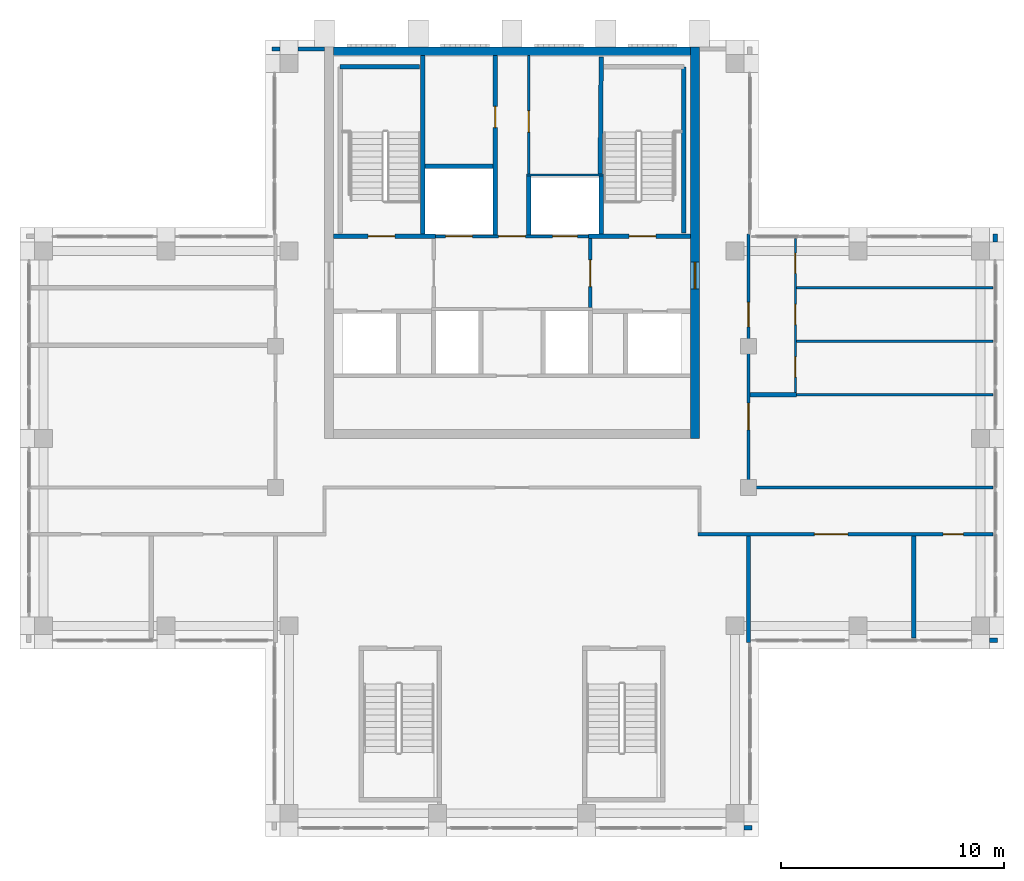
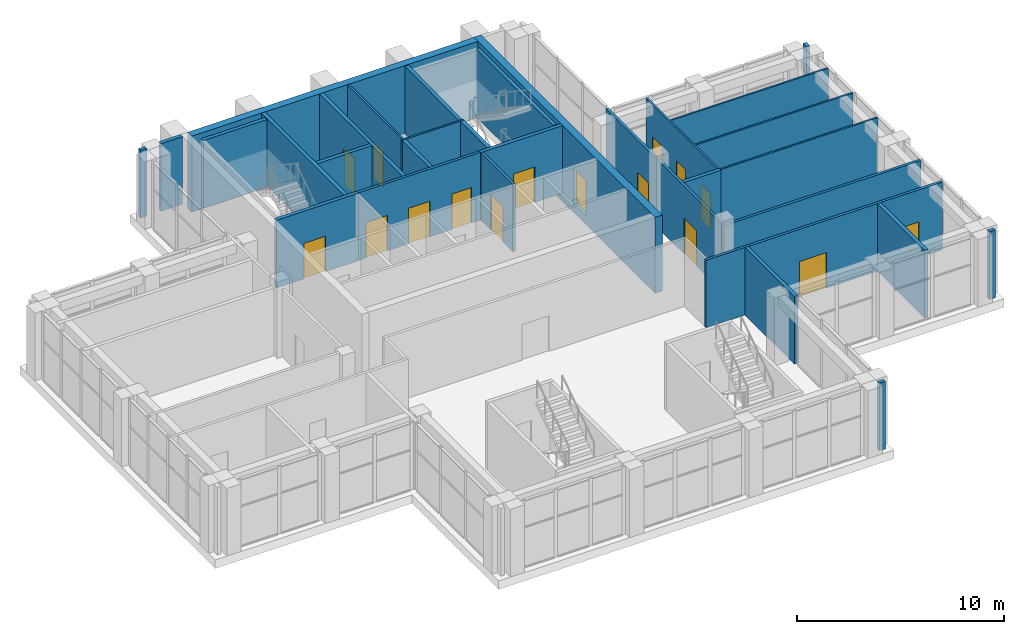
# One storey, part 10 of 14: 31 walls, 16 doors, 16 openings.
"""IFC4 building model written with IfcOpenShell, lengths in metres."""

from ifc_helpers import new_model, si_unit, direction, frame, frame_2d, origin, place, context, subcontext, project, spatial, rectangle, extrude, material, layer, layer_set, type_object, element, fill, save


model = new_model("IFC4")

# Units and contexts
model_context = context("Model", 3, precision=1e-05, world=origin(), true_north=direction((0.0, 1.0)))
body_context = subcontext(model_context, "Body", "Model", "MODEL_VIEW")
ifc_project = project(units=[si_unit("LENGTHUNIT", "METRE"), si_unit("AREAUNIT", "SQUARE_METRE"), si_unit("VOLUMEUNIT", "CUBIC_METRE"), si_unit("PLANEANGLEUNIT", "RADIAN"), si_unit("MASSUNIT", "GRAM", prefix="KILO")], contexts=[model_context])

# Site, building, storey
site_placement = place(None, origin())
site = spatial("IfcSite", under=ifc_project, at=site_placement, CompositionType="ELEMENT")
building_placement = place(site_placement, origin())
building = spatial("IfcBuilding", under=site, at=building_placement, Name="Vermilion Ogive Tower", CompositionType="ELEMENT")
storey_placement = place(building_placement, frame((0.0, 0.0, 273.85009765625)))
storey = spatial("IfcBuildingStorey", under=building, at=storey_placement, Name="L72", CompositionType="ELEMENT", Elevation=273.85009765625)

# Wall, opening, door
ifc_material_1 = material(Name="Concrete B60", Category="concrete")
ifc_layer_1 = layer(ifc_material_1, 0.39990234375)
ifc_layer_set_1 = layer_set([ifc_layer_1], Name="Core wall 400 B60")
wall_type_1 = type_object("IfcWallType", Name="Core wall 400 B60", PredefinedType="SHEAR", material=ifc_layer_set_1)
wall_1_placement = place(storey_placement, frame((8.199951171875, 4.199951171875, -0.5), z_axis=(0.0, 0.0, 1.0), x_axis=(0.0, 1.0, 0.0)))
wall_1 = element("IfcWall", 1, at=wall_1_placement, inside=storey, type_object=wall_type_1, Name="L72-CORE-E", PredefinedType="SHEAR", context=body_context, shape_type="SweptSolid", body=[
    extrude(rectangle(XDim=17.550048828125, YDim=0.39990234375, at=frame_2d((8.77490234375, 0.0))), origin(), (0.0, 0.0, 1.0), 4.5),
])
opening_1_placement = place(wall_1_placement, frame((6.699951171875, 0.0, 0.5)))
opening_1 = element("IfcOpeningElement", 2, at=opening_1_placement, cuts=wall_1, Name="Opening DAY002", PredefinedType="OPENING", context=body_context, shape_type="SweptSolid", body=[
    extrude(rectangle(XDim=1.199951171875, YDim=2.10009765625, at=frame_2d((0.60009765625, 1.050048828125))), frame((0.0, 0.2099609375, 0.0), z_axis=(0.0, -1.0, 0.0), x_axis=(1.0, 0.0, 0.0)), (0.0, 0.0, 1.0), 0.419921875),
])
ifc_material_2 = material(Name="Timber door leaf", Category="wood")
door_type_1 = type_object("IfcDoorType", Name="Link door 1200 x 2100 FD60S", OperationType="SINGLE_SWING_LEFT", PredefinedType="DOOR", material=ifc_material_2)
door_1_placement = place(opening_1_placement, origin())
door_1 = element("IfcDoor", 3, at=door_1_placement, inside=storey, type_object=door_type_1, Name="L72-CK-XD2", OperationType="SINGLE_SWING_LEFT", OverallHeight=2.10009765625, OverallWidth=1.199951171875, PredefinedType="DOOR", context=body_context, shape_type="SweptSolid", body=[
    extrude(rectangle(XDim=1.199951171875, YDim=2.10009765625, at=frame_2d((0.60009765625, 1.050048828125))), frame((0.0, 0.02490234375, 0.0), z_axis=(0.0, -1.0, 0.0), x_axis=(1.0, 0.0, 0.0)), (0.0, 0.0, 1.0), 0.050048828125),
])
fill(opening_1, door_1)

# Walls
wall_2_placement = place(storey_placement, frame((-8.0, 21.550048828125, -0.5), z_axis=(0.0, 0.0, 1.0), x_axis=(1.0, 0.0, 0.0)))
element("IfcWall", 4, at=wall_2_placement, inside=storey, type_object=wall_type_1, Name="L72-CORE-N", PredefinedType="SHEAR", context=body_context, shape_type="SweptSolid", body=[
    extrude(rectangle(XDim=16.0, YDim=0.39990234375, at=frame_2d((8.0, 0.0))), origin(), (0.0, 0.0, 1.0), 4.5),
])
ifc_material_3 = material(Name="Gypsum board partition on steel studs", Category="steel")
ifc_layer_2 = layer(ifc_material_3, 0.10009765625)
ifc_layer_set_2 = layer_set([ifc_layer_2], Name="Partition 100 bath")
wall_type_2 = type_object("IfcWallType", Name="Partition 100 bath", PredefinedType="PARTITIONING", material=ifc_layer_set_2)
wall_3_placement = place(storey_placement, frame((12.64990234375, 6.14990234375, 0.0), z_axis=(0.0, 0.0, 1.0), x_axis=(1.0, 0.0, 0.0)))
element("IfcWall", 5, at=wall_3_placement, inside=storey, type_object=wall_type_2, Name="L72-FS-W-W007", PredefinedType="PARTITIONING", context=body_context, shape_type="SweptSolid", body=[
    extrude(rectangle(XDim=8.900146484375, YDim=0.10009765625, at=frame_2d((4.4501953125, 0.0))), origin(), (0.0, 0.0, 1.0), 4.0),
])
for number, where, z_axis, x_axis, name in (
    (6, (12.75, 8.550048828125, 0.0), (0.0, 0.0, 1.0), (1.0, 0.0, 0.0), "L72-FS-W-W009"),
    (7, (12.75, 10.949951171875, 0.0), (0.0, 0.0, 1.0), (1.0, 0.0, 0.0), "L72-FS-W-W011"),
):
    element("IfcWall", number, at=place(storey_placement, frame(where, z_axis=z_axis, x_axis=x_axis)), inside=storey, type_object=wall_type_2, Name=name, PredefinedType="PARTITIONING", context=body_context, shape_type="SweptSolid", body=[
        extrude(rectangle(XDim=8.800048828125, YDim=0.10009765625, at=frame_2d((4.39990234375, 0.0))), origin(), (0.0, 0.0, 1.0), 4.0),
    ])

# Wall, openings, doors
wall_4_placement = place(storey_placement, frame((12.699951171875, 6.25, 0.0), z_axis=(0.0, 0.0, 1.0), x_axis=(0.0, 1.0, 0.0)))
wall_4 = element("IfcWall", 8, at=wall_4_placement, inside=storey, type_object=wall_type_2, Name="L72-FS-W-W019", PredefinedType="PARTITIONING", context=body_context, shape_type="SweptSolid", body=[
    extrude(rectangle(XDim=6.89990234375, YDim=0.10009765625, at=frame_2d((3.449951171875, 0.0))), origin(), (0.0, 0.0, 1.0), 4.0),
])
opening_2_placement = place(wall_4_placement, frame((0.699951171875, 0.0, 0.0)))
opening_2 = element("IfcOpeningElement", 9, at=opening_2_placement, cuts=wall_4, Name="Opening L72S007", PredefinedType="OPENING", context=body_context, shape_type="SweptSolid", body=[
    extrude(rectangle(XDim=0.89990234375, YDim=2.10009765625, at=frame_2d((0.449951171875, 1.050048828125))), frame((0.0, 0.06005859375, 0.0), z_axis=(0.0, -1.0, 0.0), x_axis=(1.0, 0.0, 0.0)), (0.0, 0.0, 1.0), 0.1201171875),
])
opening_3_placement = place(wall_4_placement, frame((3.050048828125, 0.0, 0.0)))
opening_3 = element("IfcOpeningElement", 10, at=opening_3_placement, cuts=wall_4, Name="Opening L72S008", PredefinedType="OPENING", context=body_context, shape_type="SweptSolid", body=[
    extrude(rectangle(XDim=0.89990234375, YDim=2.10009765625, at=frame_2d((0.449951171875, 1.050048828125))), frame((0.0, 0.06005859375, 0.0), z_axis=(0.0, -1.0, 0.0), x_axis=(1.0, 0.0, 0.0)), (0.0, 0.0, 1.0), 0.1201171875),
])
opening_4_placement = place(wall_4_placement, frame((5.349853515625, 0.0, 0.0)))
opening_4 = element("IfcOpeningElement", 11, at=opening_4_placement, cuts=wall_4, Name="Opening L72S009", PredefinedType="OPENING", context=body_context, shape_type="SweptSolid", body=[
    extrude(rectangle(XDim=0.89990234375, YDim=2.10009765625, at=frame_2d((0.449951171875, 1.050048828125))), frame((0.0, 0.06005859375, 0.0), z_axis=(0.0, -1.0, 0.0), x_axis=(1.0, 0.0, 0.0)), (0.0, 0.0, 1.0), 0.1201171875),
])
ifc_material_4 = material(Name="Timber door leaf", Category="wood")
door_type_2 = type_object("IfcDoorType", Name="Room door 900 x 2100 FD30", OperationType="SINGLE_SWING_LEFT", PredefinedType="DOOR", material=ifc_material_4)
door_2_placement = place(opening_2_placement, origin())
door_2 = element("IfcDoor", 12, at=door_2_placement, inside=storey, type_object=door_type_2, Name="L72-FS-D-D007", OperationType="SINGLE_SWING_RIGHT", OverallHeight=2.10009765625, OverallWidth=0.89990234375, PredefinedType="DOOR", context=body_context, shape_type="SweptSolid", body=[
    extrude(rectangle(XDim=0.89990234375, YDim=2.10009765625, at=frame_2d((0.449951171875, 1.050048828125))), frame((0.0, 0.02490234375, 0.0), z_axis=(0.0, -1.0, 0.0), x_axis=(1.0, 0.0, 0.0)), (0.0, 0.0, 1.0), 0.050048828125),
])
fill(opening_2, door_2)
door_3_placement = place(opening_3_placement, origin())
door_3 = element("IfcDoor", 13, at=door_3_placement, inside=storey, type_object=door_type_2, Name="L72-FS-D-D008", OperationType="SINGLE_SWING_RIGHT", OverallHeight=2.10009765625, OverallWidth=0.89990234375, PredefinedType="DOOR", context=body_context, shape_type="SweptSolid", body=[
    extrude(rectangle(XDim=0.89990234375, YDim=2.10009765625, at=frame_2d((0.449951171875, 1.050048828125))), frame((0.0, 0.02490234375, 0.0), z_axis=(0.0, -1.0, 0.0), x_axis=(1.0, 0.0, 0.0)), (0.0, 0.0, 1.0), 0.050048828125),
])
fill(opening_3, door_3)
door_4_placement = place(opening_4_placement, origin())
door_4 = element("IfcDoor", 14, at=door_4_placement, inside=storey, type_object=door_type_2, Name="L72-FS-D-D009", OperationType="SINGLE_SWING_LEFT", OverallHeight=2.10009765625, OverallWidth=0.89990234375, PredefinedType="DOOR", context=body_context, shape_type="SweptSolid", body=[
    extrude(rectangle(XDim=0.89990234375, YDim=2.10009765625, at=frame_2d((0.449951171875, 1.050048828125))), frame((0.0, 0.02490234375, 0.0), z_axis=(0.0, -1.0, 0.0), x_axis=(1.0, 0.0, 0.0)), (0.0, 0.0, 1.0), 0.050048828125),
])
fill(opening_4, door_4)

# Wall
wall_5_placement = place(storey_placement, frame((0.64990234375, 16.0, 0.0), z_axis=(0.0, 0.0, 1.0), x_axis=(1.0, 0.0, 0.0)))
element("IfcWall", 15, at=wall_5_placement, inside=storey, type_object=wall_type_2, Name="L72-CK-W-W008", PredefinedType="PARTITIONING", context=body_context, shape_type="SweptSolid", body=[
    extrude(rectangle(XDim=3.4501953125, YDim=0.10009765625, at=frame_2d((1.72509765625, 0.0))), origin(), (0.0, 0.0, 1.0), 4.0),
])

# Wall, opening, door
wall_6_placement = place(storey_placement, frame((0.75, 16.050048828125, 0.0), z_axis=(0.0, 0.0, 1.0), x_axis=(0.0, 1.0, 0.0)))
wall_6 = element("IfcWall", 16, at=wall_6_placement, inside=storey, type_object=wall_type_2, Name="L72-CK-W-W017", PredefinedType="PARTITIONING", context=body_context, shape_type="SweptSolid", body=[
    extrude(rectangle(XDim=5.299072265625, YDim=0.10009765625, at=frame_2d((2.6494140625, 0.0))), origin(), (0.0, 0.0, 1.0), 4.0),
])
opening_5_placement = place(wall_6_placement, frame((1.875, 0.0, 0.0)))
opening_5 = element("IfcOpeningElement", 17, at=opening_5_placement, cuts=wall_6, Name="Opening DAE022", PredefinedType="OPENING", context=body_context, shape_type="SweptSolid", body=[
    extrude(rectangle(XDim=0.949951171875, YDim=2.10009765625, at=frame_2d((0.47509765625, 1.050048828125))), frame((0.0, 0.06005859375, 0.0), z_axis=(0.0, -1.0, 0.0), x_axis=(1.0, 0.0, 0.0)), (0.0, 0.0, 1.0), 0.1201171875),
])
ifc_material_5 = material(Name="Timber door leaf", Category="wood")
door_type_3 = type_object("IfcDoorType", Name="Service door 950 x 2100 FD60", OperationType="SINGLE_SWING_LEFT", PredefinedType="DOOR", material=ifc_material_5)
door_5_placement = place(opening_5_placement, origin())
door_5 = element("IfcDoor", 18, at=door_5_placement, inside=storey, type_object=door_type_3, Name="L72-CK-D-D011", OperationType="SINGLE_SWING_LEFT", OverallHeight=2.10009765625, OverallWidth=0.949951171875, PredefinedType="DOOR", context=body_context, shape_type="SweptSolid", body=[
    extrude(rectangle(XDim=0.949951171875, YDim=2.10009765625, at=frame_2d((0.47509765625, 1.050048828125))), frame((0.0, 0.02490234375, 0.0), z_axis=(0.0, -1.0, 0.0), x_axis=(1.0, 0.0, 0.0)), (0.0, 0.0, 1.0), 0.050048828125),
])
fill(opening_5, door_5)

# Wall, openings, doors
ifc_material_6 = material(Name="Gypsum board partition on steel studs", Category="steel")
ifc_layer_3 = layer(ifc_material_6, 0.14990234375)
ifc_layer_set_3 = layer_set([ifc_layer_3], Name="Partition 150 corridor")
wall_type_3 = type_object("IfcWallType", Name="Partition 150 corridor", PredefinedType="PARTITIONING", material=ifc_layer_set_3)
wall_7_placement = place(storey_placement, frame((8.324951171875, -0.10009765625, 0.0), z_axis=(0.0, 0.0, 1.0), x_axis=(1.0, 0.0, 0.0)))
wall_7 = element("IfcWall", 19, at=wall_7_placement, inside=storey, type_object=wall_type_3, Name="L72-FS-W-W002", PredefinedType="PARTITIONING", context=body_context, shape_type="SweptSolid", body=[
    extrude(rectangle(XDim=13.22509765625, YDim=0.14990234375, at=frame_2d((6.612548828125, 0.0))), origin(), (0.0, 0.0, 1.0), 4.0),
])
opening_6_placement = place(wall_7_placement, frame((5.22509765625, 0.0, 0.0)))
opening_6 = element("IfcOpeningElement", 20, at=opening_6_placement, cuts=wall_7, Name="Opening L72S004", PredefinedType="OPENING", context=body_context, shape_type="SweptSolid", body=[
    extrude(rectangle(XDim=1.5, YDim=2.10009765625, at=frame_2d((0.75, 1.050048828125))), frame((0.0, 0.0849609375, 0.0), z_axis=(0.0, -1.0, 0.0), x_axis=(1.0, 0.0, 0.0)), (0.0, 0.0, 1.0), 0.169921875),
])
opening_7_placement = place(wall_7_placement, frame((11.0, 0.0, 0.0)))
opening_7 = element("IfcOpeningElement", 21, at=opening_7_placement, cuts=wall_7, Name="Opening L72S005", PredefinedType="OPENING", context=body_context, shape_type="SweptSolid", body=[
    extrude(rectangle(XDim=0.89990234375, YDim=2.10009765625, at=frame_2d((0.449951171875, 1.050048828125))), frame((0.0, 0.0849609375, 0.0), z_axis=(0.0, -1.0, 0.0), x_axis=(1.0, 0.0, 0.0)), (0.0, 0.0, 1.0), 0.169921875),
])
ifc_material_7 = material(Name="Timber door leaf", Category="wood")
door_type_4 = type_object("IfcDoorType", Name="Assembly door 1500 x 2100 FD30", OperationType="DOUBLE_DOOR_SINGLE_SWING", PredefinedType="DOOR", material=ifc_material_7)
door_6_placement = place(opening_6_placement, origin())
door_6 = element("IfcDoor", 22, at=door_6_placement, inside=storey, type_object=door_type_4, Name="L72-FS-D-D004", OperationType="DOUBLE_DOOR_SINGLE_SWING", OverallHeight=2.10009765625, OverallWidth=1.5, PredefinedType="DOOR", context=body_context, shape_type="SweptSolid", body=[
    extrude(rectangle(XDim=1.5, YDim=2.10009765625, at=frame_2d((0.75, 1.050048828125))), frame((0.0, 0.02490234375, 0.0), z_axis=(0.0, -1.0, 0.0), x_axis=(1.0, 0.0, 0.0)), (0.0, 0.0, 1.0), 0.050048828125),
])
fill(opening_6, door_6)
door_7_placement = place(opening_7_placement, origin())
door_7 = element("IfcDoor", 23, at=door_7_placement, inside=storey, type_object=door_type_2, Name="L72-FS-D-D005", OperationType="SINGLE_SWING_LEFT", OverallHeight=2.10009765625, OverallWidth=0.89990234375, PredefinedType="DOOR", context=body_context, shape_type="SweptSolid", body=[
    extrude(rectangle(XDim=0.89990234375, YDim=2.10009765625, at=frame_2d((0.449951171875, 1.050048828125))), frame((0.0, 0.02490234375, 0.0), z_axis=(0.0, -1.0, 0.0), x_axis=(1.0, 0.0, 0.0)), (0.0, 0.0, 1.0), 0.050048828125),
])
fill(opening_7, door_7)

# Wall
wall_8_placement = place(storey_placement, frame((10.52490234375, 2.0, 0.0), z_axis=(0.0, 0.0, 1.0), x_axis=(1.0, 0.0, 0.0)))
element("IfcWall", 24, at=wall_8_placement, inside=storey, type_object=wall_type_3, Name="L72-FS-W-W005", PredefinedType="PARTITIONING", context=body_context, shape_type="SweptSolid", body=[
    extrude(rectangle(XDim=11.025146484375, YDim=0.14990234375, at=frame_2d((5.5126953125, 0.0))), origin(), (0.0, 0.0, 1.0), 4.0),
])

# Wall, openings, doors
wall_9_placement = place(storey_placement, frame((10.60009765625, 2.074951171875, 0.0), z_axis=(0.0, 0.0, 1.0), x_axis=(0.0, 1.0, 0.0)))
wall_9 = element("IfcWall", 25, at=wall_9_placement, inside=storey, type_object=wall_type_3, Name="L72-FS-W-W018", PredefinedType="PARTITIONING", context=body_context, shape_type="SweptSolid", body=[
    extrude(rectangle(XDim=11.275146484375, YDim=0.14990234375, at=frame_2d((5.6376953125, 0.0))), origin(), (0.0, 0.0, 1.0), 4.0),
])
opening_8_placement = place(wall_9_placement, frame((7.125, 0.0, 0.0)))
opening_8 = element("IfcOpeningElement", 26, at=opening_8_placement, cuts=wall_9, Name="Opening L72S006", PredefinedType="OPENING", context=body_context, shape_type="SweptSolid", body=[
    extrude(rectangle(XDim=1.10009765625, YDim=2.10009765625, at=frame_2d((0.550048828125, 1.050048828125))), frame((0.0, 0.0849609375, 0.0), z_axis=(0.0, -1.0, 0.0), x_axis=(1.0, 0.0, 0.0)), (0.0, 0.0, 1.0), 0.169921875),
])
opening_9_placement = place(wall_9_placement, frame((2.5, 0.0, 0.0)))
opening_9 = element("IfcOpeningElement", 27, at=opening_9_placement, cuts=wall_9, Name="Opening L72S013", PredefinedType="OPENING", context=body_context, shape_type="SweptSolid", body=[
    extrude(rectangle(XDim=1.199951171875, YDim=2.10009765625, at=frame_2d((0.60009765625, 1.050048828125))), frame((0.0, 0.0849609375, 0.0), z_axis=(0.0, -1.0, 0.0), x_axis=(1.0, 0.0, 0.0)), (0.0, 0.0, 1.0), 0.169921875),
])
ifc_material_8 = material(Name="Timber door leaf", Category="wood")
door_type_5 = type_object("IfcDoorType", Name="Room door 1200 x 2100 FD30", OperationType="SINGLE_SWING_LEFT", PredefinedType="DOOR", material=ifc_material_8)
door_8_placement = place(opening_9_placement, origin())
door_8 = element("IfcDoor", 28, at=door_8_placement, inside=storey, type_object=door_type_5, Name="L72-FS-D-D013", OperationType="SINGLE_SWING_LEFT", OverallHeight=2.10009765625, OverallWidth=1.199951171875, PredefinedType="DOOR", context=body_context, shape_type="SweptSolid", body=[
    extrude(rectangle(XDim=1.199951171875, YDim=2.10009765625, at=frame_2d((0.60009765625, 1.050048828125))), frame((0.0, 0.02490234375, 0.0), z_axis=(0.0, -1.0, 0.0), x_axis=(1.0, 0.0, 0.0)), (0.0, 0.0, 1.0), 0.050048828125),
])
fill(opening_9, door_8)
ifc_material_9 = material(Name="Timber door leaf", Category="wood")
door_type_6 = type_object("IfcDoorType", Name="Wc door 1100 x 2100 FD30", OperationType="SINGLE_SWING_LEFT", PredefinedType="DOOR", material=ifc_material_9)
door_9_placement = place(opening_8_placement, origin())
door_9 = element("IfcDoor", 29, at=door_9_placement, inside=storey, type_object=door_type_6, Name="L72-FS-D-D006", OperationType="SINGLE_SWING_RIGHT", OverallHeight=2.10009765625, OverallWidth=1.10009765625, PredefinedType="DOOR", context=body_context, shape_type="SweptSolid", body=[
    extrude(rectangle(XDim=1.10009765625, YDim=2.10009765625, at=frame_2d((0.550048828125, 1.050048828125))), frame((0.0, 0.02490234375, 0.0), z_axis=(0.0, -1.0, 0.0), x_axis=(1.0, 0.0, 0.0)), (0.0, 0.0, 1.0), 0.050048828125),
])
fill(opening_8, door_9)

wall_10_placement = place(storey_placement, frame((-3.574951171875, 13.25, 0.0), z_axis=(0.0, 0.0, 1.0), x_axis=(1.0, 0.0, 0.0)))
wall_10 = element("IfcWall", 30, at=wall_10_placement, inside=storey, type_object=wall_type_3, Name="L72-CK-W-W006", PredefinedType="PARTITIONING", context=body_context, shape_type="SweptSolid", body=[
    extrude(rectangle(XDim=7.14990234375, YDim=0.14990234375, at=frame_2d((3.574951171875, 0.0))), origin(), (0.0, 0.0, 1.0), 4.0),
])
opening_10_placement = place(wall_10_placement, frame((0.599853515625, 0.0, 0.0)))
opening_10 = element("IfcOpeningElement", 31, at=opening_10_placement, cuts=wall_10, Name="Opening DAE028", PredefinedType="OPENING", context=body_context, shape_type="SweptSolid", body=[
    extrude(rectangle(XDim=1.199951171875, YDim=2.10009765625, at=frame_2d((0.60009765625, 1.050048828125))), frame((0.0, 0.0849609375, 0.0), z_axis=(0.0, -1.0, 0.0), x_axis=(1.0, 0.0, 0.0)), (0.0, 0.0, 1.0), 0.169921875),
])
opening_11_placement = place(wall_10_placement, frame((5.39990234375, 0.0, 0.0)))
opening_11 = element("IfcOpeningElement", 32, at=opening_11_placement, cuts=wall_10, Name="Opening DAE027", PredefinedType="OPENING", context=body_context, shape_type="SweptSolid", body=[
    extrude(rectangle(XDim=1.10009765625, YDim=2.10009765625, at=frame_2d((0.550048828125, 1.050048828125))), frame((0.0, 0.0849609375, 0.0), z_axis=(0.0, -1.0, 0.0), x_axis=(1.0, 0.0, 0.0)), (0.0, 0.0, 1.0), 0.169921875),
])
opening_12_placement = place(wall_10_placement, frame((2.974853515625, 0.0, 0.0)))
opening_12 = element("IfcOpeningElement", 33, at=opening_12_placement, cuts=wall_10, Name="Opening DAE020", PredefinedType="OPENING", context=body_context, shape_type="SweptSolid", body=[
    extrude(rectangle(XDim=1.199951171875, YDim=2.10009765625, at=frame_2d((0.60009765625, 1.050048828125))), frame((0.0, 0.0849609375, 0.0), z_axis=(0.0, -1.0, 0.0), x_axis=(1.0, 0.0, 0.0)), (0.0, 0.0, 1.0), 0.169921875),
])
ifc_material_10 = material(Name="Stainless steel", Category="steel")
door_type_7 = type_object("IfcDoorType", Name="Lift landing door 1100 x 2100", OperationType="SLIDING_TO_LEFT", PredefinedType="DOOR", material=ifc_material_10)
door_10_placement = place(opening_11_placement, origin())
door_10 = element("IfcDoor", 34, at=door_10_placement, inside=storey, type_object=door_type_7, Name="L72-CK-D-D008", OperationType="SLIDING_TO_LEFT", OverallHeight=2.10009765625, OverallWidth=1.10009765625, PredefinedType="DOOR", context=body_context, shape_type="SweptSolid", body=[
    extrude(rectangle(XDim=1.10009765625, YDim=2.10009765625, at=frame_2d((0.550048828125, 1.050048828125))), frame((0.0, 0.02490234375, 0.0), z_axis=(0.0, -1.0, 0.0), x_axis=(1.0, 0.0, 0.0)), (0.0, 0.0, 1.0), 0.050048828125),
])
fill(opening_11, door_10)
ifc_material_11 = material(Name="Stainless steel", Category="steel")
door_type_8 = type_object("IfcDoorType", Name="Lift landing door 1200 x 2100", OperationType="SLIDING_TO_LEFT", PredefinedType="DOOR", material=ifc_material_11)
door_11_placement = place(opening_10_placement, origin())
door_11 = element("IfcDoor", 35, at=door_11_placement, inside=storey, type_object=door_type_8, Name="L72-CK-D-D007", OperationType="SLIDING_TO_RIGHT", OverallHeight=2.10009765625, OverallWidth=1.199951171875, PredefinedType="DOOR", context=body_context, shape_type="SweptSolid", body=[
    extrude(rectangle(XDim=1.199951171875, YDim=2.10009765625, at=frame_2d((0.60009765625, 1.050048828125))), frame((0.0, 0.02490234375, 0.0), z_axis=(0.0, -1.0, 0.0), x_axis=(1.0, 0.0, 0.0)), (0.0, 0.0, 1.0), 0.050048828125),
])
fill(opening_10, door_11)
ifc_material_12 = material(Name="Timber door leaf", Category="wood")
door_type_9 = type_object("IfcDoorType", Name="Service door 1200 x 2100 FD60", OperationType="SINGLE_SWING_LEFT", PredefinedType="DOOR", material=ifc_material_12)
door_12_placement = place(opening_12_placement, origin())
door_12 = element("IfcDoor", 36, at=door_12_placement, inside=storey, type_object=door_type_9, Name="L72-CK-D-D009", OperationType="SINGLE_SWING_RIGHT", OverallHeight=2.10009765625, OverallWidth=1.199951171875, PredefinedType="DOOR", context=body_context, shape_type="SweptSolid", body=[
    extrude(rectangle(XDim=1.199951171875, YDim=2.10009765625, at=frame_2d((0.60009765625, 1.050048828125))), frame((0.0, 0.02490234375, 0.0), z_axis=(0.0, -1.0, 0.0), x_axis=(1.0, 0.0, 0.0)), (0.0, 0.0, 1.0), 0.050048828125),
])
fill(opening_12, door_12)

# Wall, opening, door
wall_11_placement = place(storey_placement, frame((3.5, 10.074951171875, 0.0), z_axis=(0.0, 0.0, 1.0), x_axis=(0.0, 1.0, 0.0)))
wall_11 = element("IfcWall", 37, at=wall_11_placement, inside=storey, type_object=wall_type_3, Name="L72-CK-W-W020", PredefinedType="PARTITIONING", context=body_context, shape_type="SweptSolid", body=[
    extrude(rectangle(XDim=3.074951171875, YDim=0.14990234375, at=frame_2d((1.53759765625, 0.0))), origin(), (0.0, 0.0, 1.0), 4.0),
])
opening_13_placement = place(wall_11_placement, frame((0.925048828125, 0.0, 0.0)))
opening_13 = element("IfcOpeningElement", 38, at=opening_13_placement, cuts=wall_11, Name="Opening DAE017", PredefinedType="OPENING", context=body_context, shape_type="SweptSolid", body=[
    extrude(rectangle(XDim=1.199951171875, YDim=2.10009765625, at=frame_2d((0.60009765625, 1.050048828125))), frame((0.0, 0.0849609375, 0.0), z_axis=(0.0, -1.0, 0.0), x_axis=(1.0, 0.0, 0.0)), (0.0, 0.0, 1.0), 0.169921875),
])
ifc_material_13 = material(Name="Timber door leaf", Category="wood")
door_type_10 = type_object("IfcDoorType", Name="Lobby door 1200 x 2100 FD60S", OperationType="SINGLE_SWING_LEFT", PredefinedType="DOOR", material=ifc_material_13)
door_13_placement = place(opening_13_placement, origin())
door_13 = element("IfcDoor", 39, at=door_13_placement, inside=storey, type_object=door_type_10, Name="L72-CK-D-D013", OperationType="SINGLE_SWING_LEFT", OverallHeight=2.10009765625, OverallWidth=1.199951171875, PredefinedType="DOOR", context=body_context, shape_type="SweptSolid", body=[
    extrude(rectangle(XDim=1.199951171875, YDim=2.10009765625, at=frame_2d((0.60009765625, 1.050048828125))), frame((0.0, 0.02490234375, 0.0), z_axis=(0.0, -1.0, 0.0), x_axis=(1.0, 0.0, 0.0)), (0.0, 0.0, 1.0), 0.050048828125),
])
fill(opening_13, door_13)

# Walls
ifc_material_14 = material(Name="Gypsum board partition on steel studs", Category="steel")
ifc_layer_4 = layer(ifc_material_14, 0.199951171875)
ifc_layer_set_4 = layer_set([ifc_layer_4], Name="Partition 200 party")
wall_type_4 = type_object("IfcWallType", Name="Partition 200 party", PredefinedType="PARTITIONING", material=ifc_layer_set_4)
wall_12_placement = place(storey_placement, frame((10.675048828125, 6.14990234375, 0.0), z_axis=(0.0, 0.0, 1.0), x_axis=(1.0, 0.0, 0.0)))
element("IfcWall", 40, at=wall_12_placement, inside=storey, type_object=wall_type_4, Name="L72-FS-W-W006", PredefinedType="PARTITIONING", context=body_context, shape_type="SweptSolid", body=[
    extrude(rectangle(XDim=2.074951171875, YDim=0.199951171875, at=frame_2d((1.03759765625, 0.0))), origin(), (0.0, 0.0, 1.0), 4.0),
])
wall_13_placement = place(storey_placement, frame((10.60009765625, -4.949951171875, 0.0), z_axis=(0.0, 0.0, 1.0), x_axis=(0.0, 1.0, 0.0)))
element("IfcWall", 41, at=wall_13_placement, inside=storey, type_object=wall_type_4, Name="L72-FS-W-W017", PredefinedType="PARTITIONING", context=body_context, shape_type="SweptSolid", body=[
    extrude(rectangle(XDim=4.77490234375, YDim=0.199951171875, at=frame_2d((2.387451171875, 0.0))), origin(), (0.0, 0.0, 1.0), 4.0),
])
wall_14_placement = place(storey_placement, frame((18.0, -4.75, 0.0), z_axis=(0.0, 0.0, 1.0), x_axis=(0.0, 1.0, 0.0)))
element("IfcWall", 42, at=wall_14_placement, inside=storey, type_object=wall_type_4, Name="L72-FS-W-W020", PredefinedType="PARTITIONING", context=body_context, shape_type="SweptSolid", body=[
    extrude(rectangle(XDim=4.574951171875, YDim=0.199951171875, at=frame_2d((2.28759765625, 0.0))), origin(), (0.0, 0.0, 1.0), 4.0),
])
wall_15_placement = place(storey_placement, frame((-3.89990234375, 16.39990234375, 0.0), z_axis=(0.0, 0.0, 1.0), x_axis=(1.0, 0.0, 0.0)))
element("IfcWall", 43, at=wall_15_placement, inside=storey, type_object=wall_type_4, Name="L72-CK-W-W009", PredefinedType="PARTITIONING", context=body_context, shape_type="SweptSolid", body=[
    extrude(rectangle(XDim=3.0498046875, YDim=0.199951171875, at=frame_2d((1.52490234375, 0.0))), origin(), (0.0, 0.0, 1.0), 4.0),
])

# Wall, opening, door
wall_16_placement = place(storey_placement, frame((-0.75, 13.324951171875, 0.0), z_axis=(0.0, 0.0, 1.0), x_axis=(0.0, 1.0, 0.0)))
wall_16 = element("IfcWall", 44, at=wall_16_placement, inside=storey, type_object=wall_type_4, Name="L72-CK-W-W015", PredefinedType="PARTITIONING", context=body_context, shape_type="SweptSolid", body=[
    extrude(rectangle(XDim=8.024169921875, YDim=0.199951171875, at=frame_2d((4.01220703125, 0.0))), origin(), (0.0, 0.0, 1.0), 4.0),
])
opening_14_placement = place(wall_16_placement, frame((4.800048828125, 0.0, 0.0)))
opening_14 = element("IfcOpeningElement", 45, at=opening_14_placement, cuts=wall_16, Name="Opening DAE021", PredefinedType="OPENING", context=body_context, shape_type="SweptSolid", body=[
    extrude(rectangle(XDim=0.949951171875, YDim=2.10009765625, at=frame_2d((0.47509765625, 1.050048828125))), frame((0.0, 0.10986328125, 0.0), z_axis=(0.0, -1.0, 0.0), x_axis=(1.0, 0.0, 0.0)), (0.0, 0.0, 1.0), 0.219970703125),
])
door_14_placement = place(opening_14_placement, origin())
door_14 = element("IfcDoor", 46, at=door_14_placement, inside=storey, type_object=door_type_3, Name="L72-CK-D-D010", OperationType="SINGLE_SWING_RIGHT", OverallHeight=2.10009765625, OverallWidth=0.949951171875, PredefinedType="DOOR", context=body_context, shape_type="SweptSolid", body=[
    extrude(rectangle(XDim=0.949951171875, YDim=2.10009765625, at=frame_2d((0.47509765625, 1.050048828125))), frame((0.0, 0.02490234375, 0.0), z_axis=(0.0, -1.0, 0.0), x_axis=(1.0, 0.0, 0.0)), (0.0, 0.0, 1.0), 0.050048828125),
])
fill(opening_14, door_14)

# Wall
wall_17_placement = place(storey_placement, frame((0.75, 13.324951171875, 0.0), z_axis=(0.0, 0.0, 1.0), x_axis=(0.0, 1.0, 0.0)))
element("IfcWall", 47, at=wall_17_placement, inside=storey, type_object=wall_type_4, Name="L72-CK-W-W016", PredefinedType="PARTITIONING", context=body_context, shape_type="SweptSolid", body=[
    extrude(rectangle(XDim=2.625, YDim=0.199951171875, at=frame_2d((1.3125, 0.0))), origin(), (0.0, 0.0, 1.0), 4.0),
])

# Wall, opening, door
ifc_material_15 = material(Name="Concrete B60", Category="concrete")
ifc_layer_5 = layer(ifc_material_15, 0.199951171875)
ifc_layer_set_5 = layer_set([ifc_layer_5], Name="Stair shaft wall 200 Concrete B60")
wall_type_5 = type_object("IfcWallType", Name="Stair shaft wall 200 Concrete B60", PredefinedType="SOLIDWALL", material=ifc_layer_set_5)
wall_18_placement = place(storey_placement, frame((-7.9990234375, 13.25, 0.0), z_axis=(0.0, 0.0, 1.0), x_axis=(1.0, 0.0, 0.0)))
wall_18 = element("IfcWall", 48, at=wall_18_placement, inside=storey, type_object=wall_type_5, Name="L72-CK-W-W005", PredefinedType="SOLIDWALL", context=body_context, shape_type="SweptSolid", body=[
    extrude(rectangle(XDim=4.573974609375, YDim=0.199951171875, at=frame_2d((2.287109375, 0.0))), origin(), (0.0, 0.0, 1.0), 4.0),
])
opening_15_placement = place(wall_18_placement, frame((1.549072265625, 0.0, 0.0)))
opening_15 = element("IfcOpeningElement", 49, at=opening_15_placement, cuts=wall_18, Name="Opening DAE023", PredefinedType="OPENING", context=body_context, shape_type="SweptSolid", body=[
    extrude(rectangle(XDim=1.199951171875, YDim=2.10009765625, at=frame_2d((0.60009765625, 1.050048828125))), frame((0.0, 0.10986328125, 0.0), z_axis=(0.0, -1.0, 0.0), x_axis=(1.0, 0.0, 0.0)), (0.0, 0.0, 1.0), 0.219970703125),
])
ifc_material_16 = material(Name="Timber door leaf", Category="wood")
door_type_11 = type_object("IfcDoorType", Name="Stair door 1200 x 2100 FD60S", OperationType="SINGLE_SWING_LEFT", PredefinedType="DOOR", material=ifc_material_16)
door_15_placement = place(opening_15_placement, origin())
door_15 = element("IfcDoor", 50, at=door_15_placement, inside=storey, type_object=door_type_11, Name="L72-CK-D-D001", OperationType="SINGLE_SWING_LEFT", OverallHeight=2.10009765625, OverallWidth=1.199951171875, PredefinedType="DOOR", context=body_context, shape_type="SweptSolid", body=[
    extrude(rectangle(XDim=1.199951171875, YDim=2.10009765625, at=frame_2d((0.60009765625, 1.050048828125))), frame((0.0, 0.02490234375, 0.0), z_axis=(0.0, -1.0, 0.0), x_axis=(1.0, 0.0, 0.0)), (0.0, 0.0, 1.0), 0.050048828125),
])
fill(opening_15, door_15)

wall_19_placement = place(storey_placement, frame((3.425048828125, 13.25, 0.0), z_axis=(0.0, 0.0, 1.0), x_axis=(1.0, 0.0, 0.0)))
wall_19 = element("IfcWall", 51, at=wall_19_placement, inside=storey, type_object=wall_type_5, Name="L72-CK-W-W007", PredefinedType="SOLIDWALL", context=body_context, shape_type="SweptSolid", body=[
    extrude(rectangle(XDim=4.573974609375, YDim=0.199951171875, at=frame_2d((2.287109375, 0.0))), origin(), (0.0, 0.0, 1.0), 4.0),
])
opening_16_placement = place(wall_19_placement, frame((1.824951171875, 0.0, 0.0)))
opening_16 = element("IfcOpeningElement", 52, at=opening_16_placement, cuts=wall_19, Name="Opening DAE024", PredefinedType="OPENING", context=body_context, shape_type="SweptSolid", body=[
    extrude(rectangle(XDim=1.199951171875, YDim=2.10009765625, at=frame_2d((0.60009765625, 1.050048828125))), frame((0.0, 0.10986328125, 0.0), z_axis=(0.0, -1.0, 0.0), x_axis=(1.0, 0.0, 0.0)), (0.0, 0.0, 1.0), 0.219970703125),
])
door_16_placement = place(opening_16_placement, origin())
door_16 = element("IfcDoor", 53, at=door_16_placement, inside=storey, type_object=door_type_11, Name="L72-CK-D-D003", OperationType="SINGLE_SWING_RIGHT", OverallHeight=2.10009765625, OverallWidth=1.199951171875, PredefinedType="DOOR", context=body_context, shape_type="SweptSolid", body=[
    extrude(rectangle(XDim=1.199951171875, YDim=2.10009765625, at=frame_2d((0.60009765625, 1.050048828125))), frame((0.0, 0.02490234375, 0.0), z_axis=(0.0, -1.0, 0.0), x_axis=(1.0, 0.0, 0.0)), (0.0, 0.0, 1.0), 0.050048828125),
])
fill(opening_16, door_16)

# Walls
wall_20_placement = place(storey_placement, frame((-4.0, 13.35009765625, 0.0), z_axis=(0.0, 0.0, 1.0), x_axis=(0.0, 1.0, 0.0)))
element("IfcWall", 54, at=wall_20_placement, inside=storey, type_object=wall_type_5, Name="L72-CK-W-W011", PredefinedType="SOLIDWALL", context=body_context, shape_type="SweptSolid", body=[
    extrude(rectangle(XDim=7.9990234375, YDim=0.199951171875, at=frame_2d((3.99951171875, 0.0))), origin(), (0.0, 0.0, 1.0), 4.0),
])
wall_21_placement = place(storey_placement, frame((4.0, 13.35009765625, 0.0), z_axis=(0.0, 0.0, 1.0), x_axis=(0.0, 1.0, 0.0)))
element("IfcWall", 55, at=wall_21_placement, inside=storey, type_object=wall_type_5, Name="L72-CK-W-W021", PredefinedType="SOLIDWALL", context=body_context, shape_type="SweptSolid", body=[
    extrude(rectangle(XDim=2.599853515625, YDim=0.199951171875, at=frame_2d((1.2998046875, 0.0))), origin(), (0.0, 0.0, 1.0), 4.0),
])
wall_22_placement = place(storey_placement, frame((3.949951171875, 16.050048828125, 0.0), z_axis=(0.0, 0.0, 1.0), x_axis=(0.009534450323, 0.999954546095, 0.0)))
element("IfcWall", 56, at=wall_22_placement, inside=storey, type_object=wall_type_5, Name="L72-CK-W-W022", PredefinedType="SOLIDWALL", context=body_context, shape_type="SweptSolid", body=[
    extrude(rectangle(XDim=5.249267578125, YDim=0.199951171875, at=frame_2d((2.62451171875, 0.0))), origin(), (0.0, 0.0, 1.0), 4.0),
])
wall_23_placement = place(storey_placement, frame((-7.699951171875, 20.85009765625, 0.0), z_axis=(0.0, 0.0, 1.0), x_axis=(1.0, 0.0, 0.0)))
element("IfcWall", 57, at=wall_23_placement, inside=storey, type_object=wall_type_5, Name="L72-SW-R004-N1", PredefinedType="SOLIDWALL", context=body_context, shape_type="SweptSolid", body=[
    extrude(rectangle(XDim=3.550048828125, YDim=0.199951171875, at=frame_2d((1.77490234375, 0.0))), origin(), (0.0, 0.0, 1.0), 4.0),
])
wall_24_placement = place(storey_placement, frame((7.699951171875, 13.39990234375, 0.0), z_axis=(0.0, 0.0, 1.0), x_axis=(0.0, 1.0, 0.0)))
element("IfcWall", 58, at=wall_24_placement, inside=storey, type_object=wall_type_5, Name="L72-SW-R008-E1", PredefinedType="SOLIDWALL", context=body_context, shape_type="SweptSolid", body=[
    extrude(rectangle(XDim=7.4501953125, YDim=0.199951171875, at=frame_2d((3.72509765625, 0.0))), origin(), (0.0, 0.0, 1.0), 4.0),
])
ifc_material_17 = material(Name="Aluminium window wall framing", Category="aluminium")
ifc_layer_6 = layer(ifc_material_17, 0.199951171875)
ifc_layer_set_6 = layer_set([ifc_layer_6], Name="Window wall")
wall_type_6 = type_object("IfcWallType", Name="Window wall", PredefinedType="STANDARD", material=ifc_layer_set_6)
for number, where, z_axis, x_axis, name in (
    (59, (10.39990234375, -13.25, 0.0), (0.0, 0.0, 1.0), (1.0, 0.0, 0.0), "Window wall S4"),
    (60, (21.39990234375, -4.85009765625, 0.0), (0.0, 0.0, 1.0), (1.0, 0.0, 0.0), "Window wall X23"),
    (61, (21.64990234375, 13.0, 0.0), (0.0, 0.0, 1.0), (0.0, 1.0, 0.0), "Window wall E3"),
):
    element("IfcWall", number, at=place(storey_placement, frame(where, z_axis=z_axis, x_axis=x_axis)), inside=storey, type_object=wall_type_6, Name=name, PredefinedType="STANDARD", context=body_context, shape_type="SweptSolid", body=[
        extrude(rectangle(XDim=0.35009765625, YDim=0.199951171875, at=frame_2d((0.175048828125, 0.0))), origin(), (0.0, 0.0, 1.0), 4.0),
    ])
wall_25_placement = place(storey_placement, frame((-8.39990234375, 21.64990234375, 0.0), z_axis=(0.0, 0.0, 1.0), x_axis=(-1.0, 0.0, 0.0)))
element("IfcWall", 62, at=wall_25_placement, inside=storey, type_object=wall_type_6, Name="Window wall N21", PredefinedType="STANDARD", context=body_context, shape_type="SweptSolid", body=[
    extrude(rectangle(XDim=1.2001953125, YDim=0.199951171875, at=frame_2d((0.60009765625, 0.0))), origin(), (0.0, 0.0, 1.0), 4.0),
])
wall_26_placement = place(storey_placement, frame((-10.39990234375, 21.64990234375, 0.0), z_axis=(0.0, 0.0, 1.0), x_axis=(-1.0, 0.0, 0.0)))
element("IfcWall", 63, at=wall_26_placement, inside=storey, type_object=wall_type_6, Name="Window wall N22", PredefinedType="STANDARD", context=body_context, shape_type="SweptSolid", body=[
    extrude(rectangle(XDim=0.35009765625, YDim=0.199951171875, at=frame_2d((0.175048828125, 0.0))), origin(), (0.0, 0.0, 1.0), 4.0),
])

save(model, "model.ifc")
